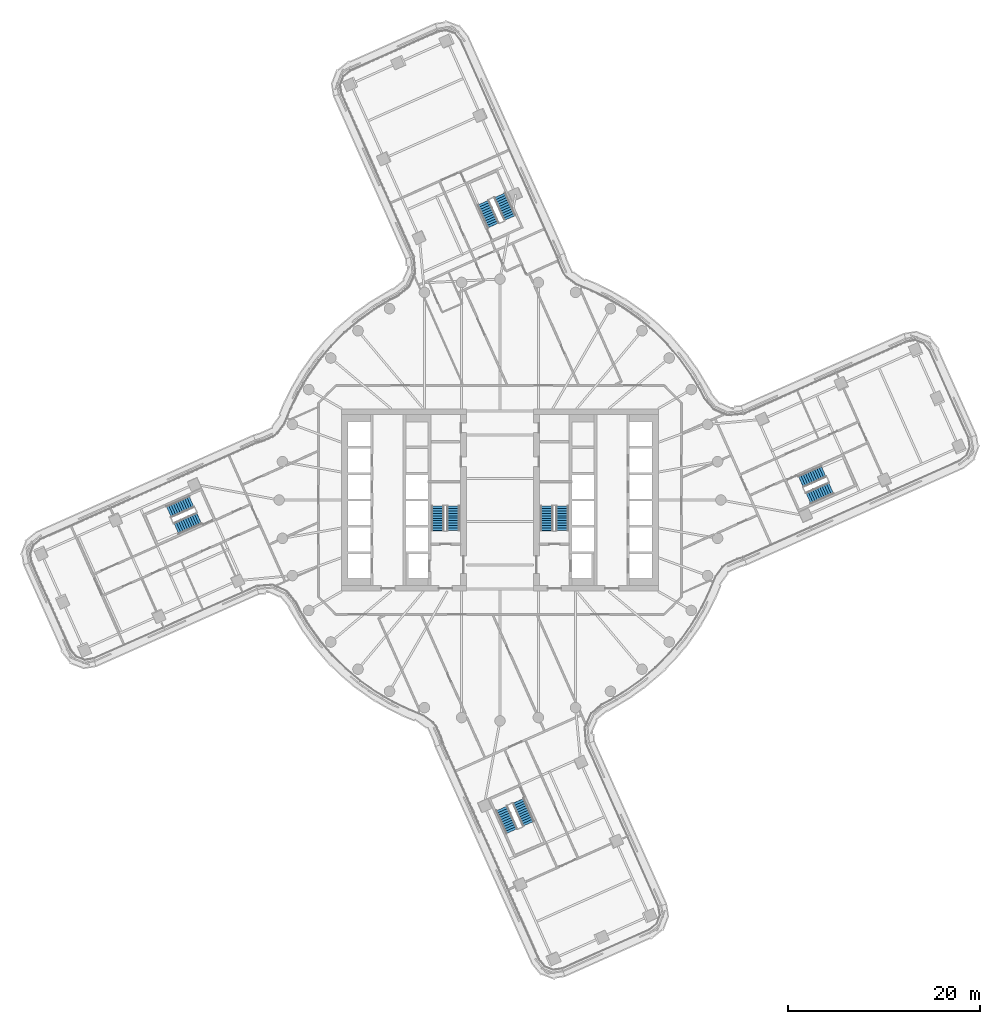
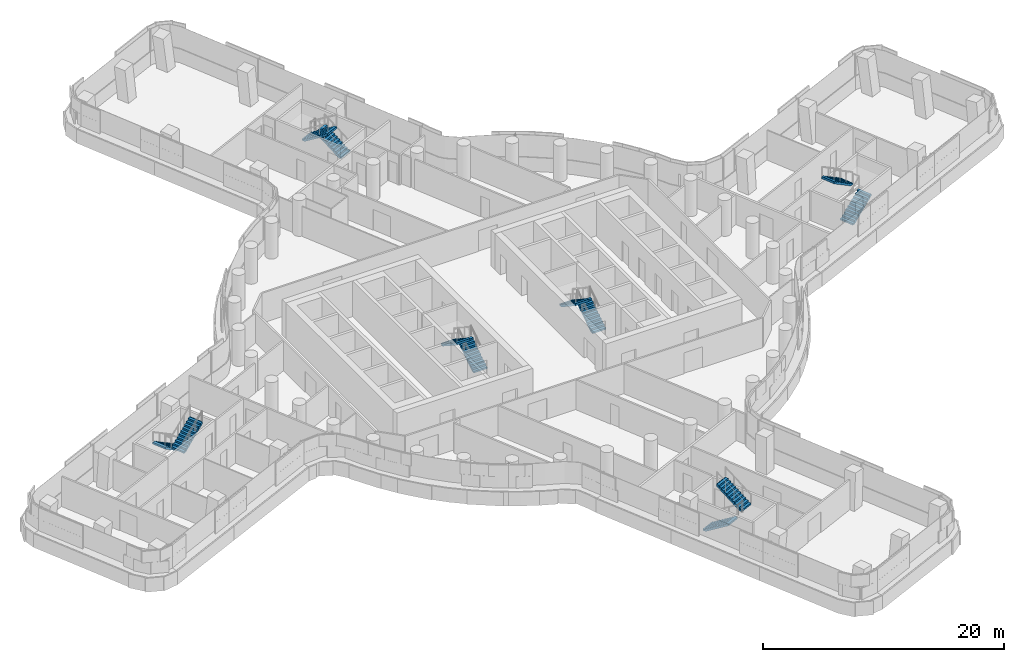
# One storey, part 27 of 35: 12 stair flights, 6 elements without a shape of their own.
"""IFC4 building model written with IfcOpenShell, lengths in metres."""

from ifc_helpers import new_model, si_unit, direction, frame, origin, place, context, subcontext, project, spatial, polyline, outline, extrude, material, type_object, element, aggregate, save


model = new_model("IFC4")

# Units and contexts
model_context = context("Model", 3, precision=1e-05, world=origin(), true_north=direction((0.0, 1.0)))
body_context = subcontext(model_context, "Body", "Model", "MODEL_VIEW")
ifc_project = project(units=[si_unit("LENGTHUNIT", "METRE"), si_unit("AREAUNIT", "SQUARE_METRE"), si_unit("VOLUMEUNIT", "CUBIC_METRE"), si_unit("PLANEANGLEUNIT", "RADIAN"), si_unit("MASSUNIT", "GRAM", prefix="KILO")], contexts=[model_context])

# Site, building, storey
site_placement = place(None, origin())
site = spatial("IfcSite", under=ifc_project, at=site_placement, CompositionType="ELEMENT")
building_placement = place(site_placement, origin())
building = spatial("IfcBuilding", under=site, at=building_placement, Name="Tamarind Cross Interchange Tower", CompositionType="ELEMENT")
storey_placement = place(building_placement, frame((0.0, 0.0, 121.0)))
storey = spatial("IfcBuildingStorey", under=building, at=storey_placement, Name="L29", CompositionType="ELEMENT", Elevation=121.0)

# Stair, stair flights
ifc_material_1 = material(Name="Exit stair")
stair_type = type_object("IfcStairType", Name="Exit stair", PredefinedType="HALF_TURN_STAIR", material=ifc_material_1)
stair_1_placement = place(storey_placement, origin())
stair_1 = element("IfcStair", 1, at=stair_1_placement, inside=storey, type_object=stair_type, Name="L29 exit stair ST1", PredefinedType="HALF_TURN_STAIR")
ifc_material_2 = material(Name="Exit stair flight")
stair_flight_type = type_object("IfcStairFlightType", Name="Exit stair flight", PredefinedType="STRAIGHT", material=ifc_material_2)
stair_flight_1_placement = place(storey_placement, frame((-4.85009765625, -3.199951171875, 0.0), z_axis=(0.0, 0.0, 1.0), x_axis=(0.0, 1.0, 0.0)))
stair_flight_1 = element("IfcStairFlight", 2, at=stair_flight_1_placement, type_object=stair_flight_type, Name="ST1 flight 1", NumberOfRisers=11, NumberOfTreads=10, PredefinedType="STRAIGHT", RiserHeight=0.170454545, TreadLength=0.26, context=body_context, shape_type="SweptSolid", body=[
    extrude(outline(polyline([(0.0, 0.0), (0.0, 0.17041015625), (0.260009765625, 0.17041015625), (0.260009765625, 0.3408203125), (0.52001953125, 0.3408203125), (0.52001953125, 0.511474609375), (0.780029296875, 0.511474609375), (0.780029296875, 0.681884765625), (1.0400390625, 0.681884765625), (1.0400390625, 0.852294921875), (1.300048828125, 0.852294921875), (1.300048828125, 1.022705078125), (1.56005859375, 1.022705078125), (1.56005859375, 1.193115234375), (1.820068359375, 1.193115234375), (1.820068359375, 1.363525390625), (2.080078125, 1.363525390625), (2.080078125, 1.5341796875), (2.340087890625, 1.5341796875), (2.340087890625, 1.70458984375), (2.60009765625, 1.70458984375), (2.60009765625, 1.875), (2.60009765625, 1.525390625), (0.2734375, 0.0), (0.0, 0.0)])), frame((0.0, 0.64990234375, 0.0), z_axis=(0.0, -1.0, 0.0), x_axis=(1.0, 0.0, 0.0)), (0.0, 0.0, 1.0), 1.300048828125),
])
stair_flight_2_placement = place(storey_placement, frame((-6.5, -0.60009765625, 1.875), z_axis=(0.0, 0.0, 1.0), x_axis=(0.0, -1.0, 0.0)))
stair_flight_2 = element("IfcStairFlight", 3, at=stair_flight_2_placement, type_object=stair_flight_type, Name="ST1 flight 2", NumberOfRisers=11, NumberOfTreads=10, PredefinedType="STRAIGHT", RiserHeight=0.170454545, TreadLength=0.26, context=body_context, shape_type="SweptSolid", body=[
    extrude(outline(polyline([(0.0, 0.0), (0.0, 0.17041015625), (0.260009765625, 0.17041015625), (0.260009765625, 0.3408203125), (0.52001953125, 0.3408203125), (0.52001953125, 0.511474609375), (0.780029296875, 0.511474609375), (0.780029296875, 0.681884765625), (1.0400390625, 0.681884765625), (1.0400390625, 0.852294921875), (1.300048828125, 0.852294921875), (1.300048828125, 1.022705078125), (1.56005859375, 1.022705078125), (1.56005859375, 1.193115234375), (1.820068359375, 1.193115234375), (1.820068359375, 1.363525390625), (2.080078125, 1.363525390625), (2.080078125, 1.5341796875), (2.340087890625, 1.5341796875), (2.340087890625, 1.70458984375), (2.60009765625, 1.70458984375), (2.60009765625, 1.7548828125), (2.612060546875, 1.7548828125), (2.612060546875, 1.533203125), (0.2734375, 0.0), (0.0, 0.0)])), frame((0.0, 0.64990234375, 0.0), z_axis=(0.0, -1.0, 0.0), x_axis=(1.0, 0.0, 0.0)), (0.0, 0.0, 1.0), 1.300048828125),
])
aggregate(stair_1, [stair_flight_1, stair_flight_2])

stair_2_placement = place(storey_placement, origin())
stair_2 = element("IfcStair", 4, at=stair_2_placement, inside=storey, type_object=stair_type, Name="L29 exit stair ST2", PredefinedType="HALF_TURN_STAIR")
stair_flight_3_placement = place(storey_placement, frame((6.5, -3.199951171875, 0.0), z_axis=(0.0, 0.0, 1.0), x_axis=(0.0, 1.0, 0.0)))
stair_flight_3 = element("IfcStairFlight", 5, at=stair_flight_3_placement, type_object=stair_flight_type, Name="ST2 flight 1", NumberOfRisers=11, NumberOfTreads=10, PredefinedType="STRAIGHT", RiserHeight=0.170454545, TreadLength=0.26, context=body_context, shape_type="SweptSolid", body=[
    extrude(outline(polyline([(0.0, 0.0), (0.0, 0.17041015625), (0.260009765625, 0.17041015625), (0.260009765625, 0.3408203125), (0.52001953125, 0.3408203125), (0.52001953125, 0.511474609375), (0.780029296875, 0.511474609375), (0.780029296875, 0.681884765625), (1.0400390625, 0.681884765625), (1.0400390625, 0.852294921875), (1.300048828125, 0.852294921875), (1.300048828125, 1.022705078125), (1.56005859375, 1.022705078125), (1.56005859375, 1.193115234375), (1.820068359375, 1.193115234375), (1.820068359375, 1.363525390625), (2.080078125, 1.363525390625), (2.080078125, 1.5341796875), (2.340087890625, 1.5341796875), (2.340087890625, 1.70458984375), (2.60009765625, 1.70458984375), (2.60009765625, 1.875), (2.60009765625, 1.525390625), (0.2734375, 0.0), (0.0, 0.0)])), frame((0.0, 0.64990234375, 0.0), z_axis=(0.0, -1.0, 0.0), x_axis=(1.0, 0.0, 0.0)), (0.0, 0.0, 1.0), 1.300048828125),
])
stair_flight_4_placement = place(storey_placement, frame((4.85009765625, -0.60009765625, 1.875), z_axis=(0.0, 0.0, 1.0), x_axis=(0.0, -1.0, 0.0)))
stair_flight_4 = element("IfcStairFlight", 6, at=stair_flight_4_placement, type_object=stair_flight_type, Name="ST2 flight 2", NumberOfRisers=11, NumberOfTreads=10, PredefinedType="STRAIGHT", RiserHeight=0.170454545, TreadLength=0.26, context=body_context, shape_type="SweptSolid", body=[
    extrude(outline(polyline([(0.0, 0.0), (0.0, 0.17041015625), (0.260009765625, 0.17041015625), (0.260009765625, 0.3408203125), (0.52001953125, 0.3408203125), (0.52001953125, 0.511474609375), (0.780029296875, 0.511474609375), (0.780029296875, 0.681884765625), (1.0400390625, 0.681884765625), (1.0400390625, 0.852294921875), (1.300048828125, 0.852294921875), (1.300048828125, 1.022705078125), (1.56005859375, 1.022705078125), (1.56005859375, 1.193115234375), (1.820068359375, 1.193115234375), (1.820068359375, 1.363525390625), (2.080078125, 1.363525390625), (2.080078125, 1.5341796875), (2.340087890625, 1.5341796875), (2.340087890625, 1.70458984375), (2.60009765625, 1.70458984375), (2.60009765625, 1.7548828125), (2.612060546875, 1.7548828125), (2.612060546875, 1.533203125), (0.2734375, 0.0), (0.0, 0.0)])), frame((0.0, 0.64990234375, 0.0), z_axis=(0.0, -1.0, 0.0), x_axis=(1.0, 0.0, 0.0)), (0.0, 0.0, 1.0), 1.300048828125),
])
aggregate(stair_2, [stair_flight_3, stair_flight_4])

stair_3_placement = place(storey_placement, origin())
stair_3 = element("IfcStair", 7, at=stair_3_placement, inside=storey, type_object=stair_type, Name="L29 exit stair ST3", PredefinedType="HALF_TURN_STAIR")
stair_flight_5_placement = place(storey_placement, frame((32.1025390625, 0.179443359375, 0.0), z_axis=(0.0, 0.0, 1.0), x_axis=(0.913329522698, 0.407221294835, 0.0)))
stair_flight_5 = element("IfcStairFlight", 8, at=stair_flight_5_placement, type_object=stair_flight_type, Name="ST3 flight 1", NumberOfRisers=11, NumberOfTreads=10, PredefinedType="STRAIGHT", RiserHeight=0.170454545, TreadLength=0.26, context=body_context, shape_type="SweptSolid", body=[
    extrude(outline(polyline([(0.0, 0.0), (0.0, 0.17041015625), (0.260009765625, 0.17041015625), (0.260009765625, 0.3408203125), (0.52001953125, 0.3408203125), (0.52001953125, 0.511474609375), (0.780029296875, 0.511474609375), (0.780029296875, 0.681884765625), (1.0400390625, 0.681884765625), (1.0400390625, 0.852294921875), (1.300048828125, 0.852294921875), (1.300048828125, 1.022705078125), (1.56005859375, 1.022705078125), (1.56005859375, 1.193115234375), (1.820068359375, 1.193115234375), (1.820068359375, 1.363525390625), (2.080078125, 1.363525390625), (2.080078125, 1.5341796875), (2.340087890625, 1.5341796875), (2.340087890625, 1.70458984375), (2.60009765625, 1.70458984375), (2.60009765625, 1.875), (2.60009765625, 1.525390625), (0.2734375, 0.0), (0.0, 0.0)])), frame((0.0, 0.64990234375, 0.0), z_axis=(0.0, -1.0, 0.0), x_axis=(1.0, 0.0, 0.0)), (0.0, 0.0, 1.0), 1.300048828125),
])
stair_flight_6_placement = place(storey_placement, frame((33.703369140625, 2.9736328125, 1.875), z_axis=(0.0, 0.0, 1.0), x_axis=(-0.913329522698, -0.407221294835, 0.0)))
stair_flight_6 = element("IfcStairFlight", 9, at=stair_flight_6_placement, type_object=stair_flight_type, Name="ST3 flight 2", NumberOfRisers=11, NumberOfTreads=10, PredefinedType="STRAIGHT", RiserHeight=0.170454545, TreadLength=0.26, context=body_context, shape_type="SweptSolid", body=[
    extrude(outline(polyline([(0.0, 0.0), (0.0, 0.17041015625), (0.260009765625, 0.17041015625), (0.260009765625, 0.3408203125), (0.52001953125, 0.3408203125), (0.52001953125, 0.511474609375), (0.780029296875, 0.511474609375), (0.780029296875, 0.681884765625), (1.0400390625, 0.681884765625), (1.0400390625, 0.852294921875), (1.300048828125, 0.852294921875), (1.300048828125, 1.022705078125), (1.56005859375, 1.022705078125), (1.56005859375, 1.193115234375), (1.820068359375, 1.193115234375), (1.820068359375, 1.363525390625), (2.080078125, 1.363525390625), (2.080078125, 1.5341796875), (2.340087890625, 1.5341796875), (2.340087890625, 1.70458984375), (2.60009765625, 1.70458984375), (2.60009765625, 1.7548828125), (2.612060546875, 1.7548828125), (2.612060546875, 1.533203125), (0.2734375, 0.0), (0.0, 0.0)])), frame((0.0, 0.64990234375, 0.0), z_axis=(0.0, -1.0, 0.0), x_axis=(1.0, 0.0, 0.0)), (0.0, 0.0, 1.0), 1.300048828125),
])
aggregate(stair_3, [stair_flight_5, stair_flight_6])

stair_4_placement = place(storey_placement, origin())
stair_4 = element("IfcStair", 10, at=stair_4_placement, inside=storey, type_object=stair_type, Name="L29 exit stair ST4", PredefinedType="HALF_TURN_STAIR")
stair_flight_7_placement = place(storey_placement, frame((1.042236328125, 29.362548828125, 0.0), z_axis=(0.0, 0.0, 1.0), x_axis=(-0.407221294835, 0.913329522698, 0.0)))
stair_flight_7 = element("IfcStairFlight", 11, at=stair_flight_7_placement, type_object=stair_flight_type, Name="ST4 flight 1", NumberOfRisers=11, NumberOfTreads=10, PredefinedType="STRAIGHT", RiserHeight=0.170454545, TreadLength=0.26, context=body_context, shape_type="SweptSolid", body=[
    extrude(outline(polyline([(0.0, 0.0), (0.0, 0.17041015625), (0.260009765625, 0.17041015625), (0.260009765625, 0.3408203125), (0.52001953125, 0.3408203125), (0.52001953125, 0.511474609375), (0.780029296875, 0.511474609375), (0.780029296875, 0.681884765625), (1.0400390625, 0.681884765625), (1.0400390625, 0.852294921875), (1.300048828125, 0.852294921875), (1.300048828125, 1.022705078125), (1.56005859375, 1.022705078125), (1.56005859375, 1.193115234375), (1.820068359375, 1.193115234375), (1.820068359375, 1.363525390625), (2.080078125, 1.363525390625), (2.080078125, 1.5341796875), (2.340087890625, 1.5341796875), (2.340087890625, 1.70458984375), (2.60009765625, 1.70458984375), (2.60009765625, 1.875), (2.60009765625, 1.525390625), (0.2734375, 0.0), (0.0, 0.0)])), frame((0.0, 0.64990234375, 0.0), z_axis=(0.0, -1.0, 0.0), x_axis=(1.0, 0.0, 0.0)), (0.0, 0.0, 1.0), 1.300048828125),
])
stair_flight_8_placement = place(storey_placement, frame((-1.751953125, 30.96337890625, 1.875), z_axis=(0.0, 0.0, 1.0), x_axis=(0.407221294835, -0.913329522698, 0.0)))
stair_flight_8 = element("IfcStairFlight", 12, at=stair_flight_8_placement, type_object=stair_flight_type, Name="ST4 flight 2", NumberOfRisers=11, NumberOfTreads=10, PredefinedType="STRAIGHT", RiserHeight=0.170454545, TreadLength=0.26, context=body_context, shape_type="SweptSolid", body=[
    extrude(outline(polyline([(0.0, 0.0), (0.0, 0.17041015625), (0.260009765625, 0.17041015625), (0.260009765625, 0.3408203125), (0.52001953125, 0.3408203125), (0.52001953125, 0.511474609375), (0.780029296875, 0.511474609375), (0.780029296875, 0.681884765625), (1.0400390625, 0.681884765625), (1.0400390625, 0.852294921875), (1.300048828125, 0.852294921875), (1.300048828125, 1.022705078125), (1.56005859375, 1.022705078125), (1.56005859375, 1.193115234375), (1.820068359375, 1.193115234375), (1.820068359375, 1.363525390625), (2.080078125, 1.363525390625), (2.080078125, 1.5341796875), (2.340087890625, 1.5341796875), (2.340087890625, 1.70458984375), (2.60009765625, 1.70458984375), (2.60009765625, 1.7548828125), (2.612060546875, 1.7548828125), (2.612060546875, 1.533203125), (0.2734375, 0.0), (0.0, 0.0)])), frame((0.0, 0.64990234375, 0.0), z_axis=(0.0, -1.0, 0.0), x_axis=(1.0, 0.0, 0.0)), (0.0, 0.0, 1.0), 1.300048828125),
])
aggregate(stair_4, [stair_flight_7, stair_flight_8])

stair_5_placement = place(storey_placement, origin())
stair_5 = element("IfcStair", 13, at=stair_5_placement, inside=storey, type_object=stair_type, Name="L29 exit stair ST5", PredefinedType="HALF_TURN_STAIR")
stair_flight_9_placement = place(storey_placement, frame((-32.1025390625, -0.179443359375, 0.0), z_axis=(0.0, 0.0, 1.0), x_axis=(-0.913329522698, -0.407221294835, 0.0)))
stair_flight_9 = element("IfcStairFlight", 14, at=stair_flight_9_placement, type_object=stair_flight_type, Name="ST5 flight 1", NumberOfRisers=11, NumberOfTreads=10, PredefinedType="STRAIGHT", RiserHeight=0.170454545, TreadLength=0.26, context=body_context, shape_type="SweptSolid", body=[
    extrude(outline(polyline([(0.0, 0.0), (0.0, 0.17041015625), (0.260009765625, 0.17041015625), (0.260009765625, 0.3408203125), (0.52001953125, 0.3408203125), (0.52001953125, 0.511474609375), (0.780029296875, 0.511474609375), (0.780029296875, 0.681884765625), (1.0400390625, 0.681884765625), (1.0400390625, 0.852294921875), (1.300048828125, 0.852294921875), (1.300048828125, 1.022705078125), (1.56005859375, 1.022705078125), (1.56005859375, 1.193115234375), (1.820068359375, 1.193115234375), (1.820068359375, 1.363525390625), (2.080078125, 1.363525390625), (2.080078125, 1.5341796875), (2.340087890625, 1.5341796875), (2.340087890625, 1.70458984375), (2.60009765625, 1.70458984375), (2.60009765625, 1.875), (2.60009765625, 1.525390625), (0.2734375, 0.0), (0.0, 0.0)])), frame((0.0, 0.64990234375, 0.0), z_axis=(0.0, -1.0, 0.0), x_axis=(1.0, 0.0, 0.0)), (0.0, 0.0, 1.0), 1.300048828125),
])
stair_flight_10_placement = place(storey_placement, frame((-33.703369140625, -2.9736328125, 1.875), z_axis=(0.0, 0.0, 1.0), x_axis=(0.913329522698, 0.407221294835, 0.0)))
stair_flight_10 = element("IfcStairFlight", 15, at=stair_flight_10_placement, type_object=stair_flight_type, Name="ST5 flight 2", NumberOfRisers=11, NumberOfTreads=10, PredefinedType="STRAIGHT", RiserHeight=0.170454545, TreadLength=0.26, context=body_context, shape_type="SweptSolid", body=[
    extrude(outline(polyline([(0.0, 0.0), (0.0, 0.17041015625), (0.260009765625, 0.17041015625), (0.260009765625, 0.3408203125), (0.52001953125, 0.3408203125), (0.52001953125, 0.511474609375), (0.780029296875, 0.511474609375), (0.780029296875, 0.681884765625), (1.0400390625, 0.681884765625), (1.0400390625, 0.852294921875), (1.300048828125, 0.852294921875), (1.300048828125, 1.022705078125), (1.56005859375, 1.022705078125), (1.56005859375, 1.193115234375), (1.820068359375, 1.193115234375), (1.820068359375, 1.363525390625), (2.080078125, 1.363525390625), (2.080078125, 1.5341796875), (2.340087890625, 1.5341796875), (2.340087890625, 1.70458984375), (2.60009765625, 1.70458984375), (2.60009765625, 1.7548828125), (2.612060546875, 1.7548828125), (2.612060546875, 1.533203125), (0.2734375, 0.0), (0.0, 0.0)])), frame((0.0, 0.64990234375, 0.0), z_axis=(0.0, -1.0, 0.0), x_axis=(1.0, 0.0, 0.0)), (0.0, 0.0, 1.0), 1.300048828125),
])
aggregate(stair_5, [stair_flight_9, stair_flight_10])

stair_6_placement = place(storey_placement, origin())
stair_6 = element("IfcStair", 16, at=stair_6_placement, inside=storey, type_object=stair_type, Name="L29 exit stair ST6", PredefinedType="HALF_TURN_STAIR")
stair_flight_11_placement = place(storey_placement, frame((0.179443359375, -32.1025390625, 0.0), z_axis=(0.0, 0.0, 1.0), x_axis=(0.407221294835, -0.913329522698, 0.0)))
stair_flight_11 = element("IfcStairFlight", 17, at=stair_flight_11_placement, type_object=stair_flight_type, Name="ST6 flight 1", NumberOfRisers=11, NumberOfTreads=10, PredefinedType="STRAIGHT", RiserHeight=0.170454545, TreadLength=0.26, context=body_context, shape_type="SweptSolid", body=[
    extrude(outline(polyline([(0.0, 0.0), (0.0, 0.17041015625), (0.260009765625, 0.17041015625), (0.260009765625, 0.3408203125), (0.52001953125, 0.3408203125), (0.52001953125, 0.511474609375), (0.780029296875, 0.511474609375), (0.780029296875, 0.681884765625), (1.0400390625, 0.681884765625), (1.0400390625, 0.852294921875), (1.300048828125, 0.852294921875), (1.300048828125, 1.022705078125), (1.56005859375, 1.022705078125), (1.56005859375, 1.193115234375), (1.820068359375, 1.193115234375), (1.820068359375, 1.363525390625), (2.080078125, 1.363525390625), (2.080078125, 1.5341796875), (2.340087890625, 1.5341796875), (2.340087890625, 1.70458984375), (2.60009765625, 1.70458984375), (2.60009765625, 1.875), (2.60009765625, 1.525390625), (0.2734375, 0.0), (0.0, 0.0)])), frame((0.0, 0.64990234375, 0.0), z_axis=(0.0, -1.0, 0.0), x_axis=(1.0, 0.0, 0.0)), (0.0, 0.0, 1.0), 1.300048828125),
])
stair_flight_12_placement = place(storey_placement, frame((2.9736328125, -33.703369140625, 1.875), z_axis=(0.0, 0.0, 1.0), x_axis=(-0.407221294835, 0.913329522698, 0.0)))
stair_flight_12 = element("IfcStairFlight", 18, at=stair_flight_12_placement, type_object=stair_flight_type, Name="ST6 flight 2", NumberOfRisers=11, NumberOfTreads=10, PredefinedType="STRAIGHT", RiserHeight=0.170454545, TreadLength=0.26, context=body_context, shape_type="SweptSolid", body=[
    extrude(outline(polyline([(0.0, 0.0), (0.0, 0.17041015625), (0.260009765625, 0.17041015625), (0.260009765625, 0.3408203125), (0.52001953125, 0.3408203125), (0.52001953125, 0.511474609375), (0.780029296875, 0.511474609375), (0.780029296875, 0.681884765625), (1.0400390625, 0.681884765625), (1.0400390625, 0.852294921875), (1.300048828125, 0.852294921875), (1.300048828125, 1.022705078125), (1.56005859375, 1.022705078125), (1.56005859375, 1.193115234375), (1.820068359375, 1.193115234375), (1.820068359375, 1.363525390625), (2.080078125, 1.363525390625), (2.080078125, 1.5341796875), (2.340087890625, 1.5341796875), (2.340087890625, 1.70458984375), (2.60009765625, 1.70458984375), (2.60009765625, 1.7548828125), (2.612060546875, 1.7548828125), (2.612060546875, 1.533203125), (0.2734375, 0.0), (0.0, 0.0)])), frame((0.0, 0.64990234375, 0.0), z_axis=(0.0, -1.0, 0.0), x_axis=(1.0, 0.0, 0.0)), (0.0, 0.0, 1.0), 1.300048828125),
])
aggregate(stair_6, [stair_flight_11, stair_flight_12])

save(model, "model.ifc")
